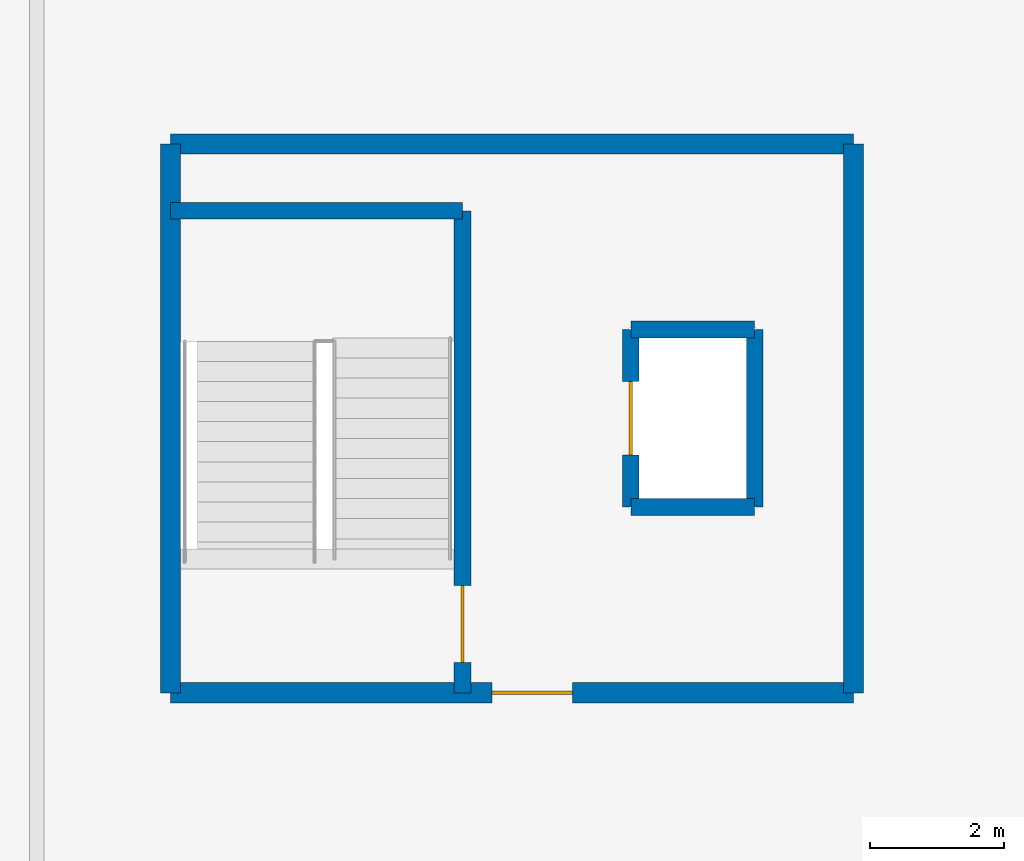
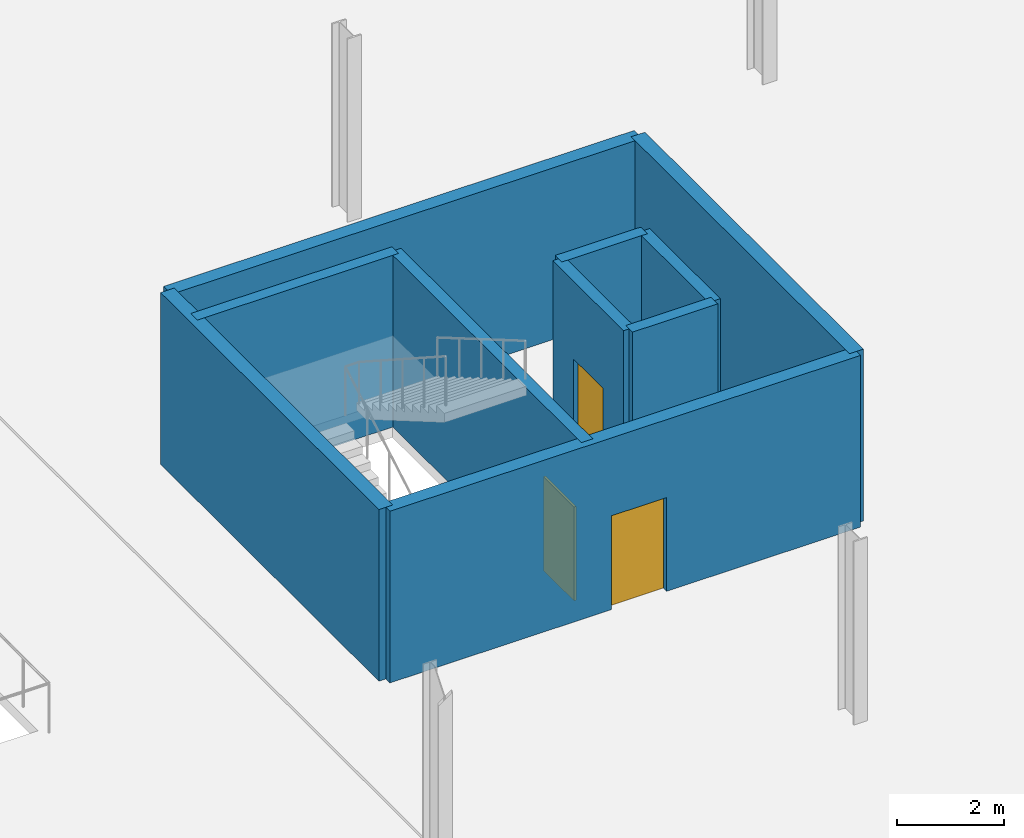
# One storey, part 114 of 132: 10 walls, 3 doors, 3 openings.
"""IFC4 building model written with IfcOpenShell, lengths in metres."""

from ifc_helpers import new_model, si_unit, direction, frame, frame_2d, origin, place, context, subcontext, project, spatial, rectangle, extrude, material, layer, layer_set, type_object, element, fill, save


model = new_model("IFC4")

# Units and contexts
model_context = context("Model", 3, precision=1e-05, world=origin(), true_north=direction((0.0, 1.0)))
body_context = subcontext(model_context, "Body", "Model", "MODEL_VIEW")
ifc_project = project(units=[si_unit("LENGTHUNIT", "METRE"), si_unit("AREAUNIT", "SQUARE_METRE"), si_unit("VOLUMEUNIT", "CUBIC_METRE"), si_unit("PLANEANGLEUNIT", "RADIAN"), si_unit("MASSUNIT", "GRAM", prefix="KILO")], contexts=[model_context])

# Site, building, storey
site_placement = place(None, origin())
site = spatial("IfcSite", under=ifc_project, at=site_placement, CompositionType="ELEMENT")
building_placement = place(site_placement, origin())
building = spatial("IfcBuilding", under=site, at=building_placement, Name="Deido Ridge Mobility Hub", CompositionType="ELEMENT")
storey_placement = place(building_placement, frame((0.0, 0.0, 8.39990234375)))
storey = spatial("IfcBuildingStorey", under=building, at=storey_placement, Name="L02", CompositionType="ELEMENT", Elevation=8.39990234375)

# Wall, opening, door
ifc_material_1 = material(Name="Concrete C40/50", Category="concrete")
ifc_layer_1 = layer(ifc_material_1, 0.25, Name="Concrete C40/50")
ifc_layer_set_1 = layer_set([ifc_layer_1], Name="Concrete C40/50")
wall_type_1 = type_object("IfcWallType", Name="WL-SHR-RC-250", PredefinedType="SHEAR", material=ifc_layer_set_1)
wall_1_placement = place(storey_placement, frame((78.360107421875, 99.39990234375, 0.0), z_axis=(0.0, 0.0, 1.0), x_axis=(0.0, 1.0, 0.0)))
wall_1 = element("IfcWall", 1, at=wall_1_placement, inside=storey, type_object=wall_type_1, Name="C5 stair shaft east wall", PredefinedType="SHEAR", context=body_context, shape_type="SweptSolid", body=[
    extrude(rectangle(XDim=7.2001953125, YDim=0.25, at=frame_2d((3.60009765625, 0.0))), origin(), (0.0, 0.0, 1.0), 3.93505859375),
])
opening_1_placement = place(wall_1_placement, frame((0.449951171875, 0.0, 0.0)))
opening_1 = element("IfcOpeningElement", 2, at=opening_1_placement, cuts=wall_1, Name="Opening FD-C5-L02", PredefinedType="OPENING", context=body_context, shape_type="SweptSolid", body=[
    extrude(rectangle(XDim=1.14990234375, YDim=2.14990234375, at=frame_2d((0.574951171875, 1.074951171875))), frame((0.0, 0.135009765625, 0.0), z_axis=(0.0, -1.0, 0.0), x_axis=(1.0, 0.0, 0.0)), (0.0, 0.0, 1.0), 0.27001953125),
])
ifc_material_2 = material(Name="Galvanised steel work", Category="steel")
door_type_1 = type_object("IfcDoorType", Name="DR-FD60-1150X2150", OperationType="NOTDEFINED", PredefinedType="DOOR", material=ifc_material_2)
door_1_placement = place(opening_1_placement, origin())
door_1 = element("IfcDoor", 3, at=door_1_placement, inside=storey, type_object=door_type_1, Name="DR-I0109 C5 protected stair door (L02)", OperationType="SINGLE_SWING_LEFT", OverallHeight=2.14990234375, OverallWidth=1.14990234375, PredefinedType="DOOR", context=body_context, shape_type="SweptSolid", body=[
    extrude(rectangle(XDim=1.14990234375, YDim=2.14990234375, at=frame_2d((0.574951171875, 1.074951171875))), frame((0.0, 0.02490234375, 0.0), z_axis=(0.0, -1.0, 0.0), x_axis=(1.0, 0.0, 0.0)), (0.0, 0.0, 1.0), 0.050048828125),
])
fill(opening_1, door_1)

# Walls
wall_2_placement = place(storey_placement, frame((74.0, 106.60009765625, 0.0), z_axis=(0.0, 0.0, 1.0), x_axis=(1.0, 0.0, 0.0)))
element("IfcWall", 4, at=wall_2_placement, inside=storey, type_object=wall_type_1, Name="C5 stair shaft north wall", PredefinedType="SHEAR", context=body_context, shape_type="SweptSolid", body=[
    extrude(rectangle(XDim=4.360107421875, YDim=0.25, at=frame_2d((2.18017578125, 0.0))), origin(), (0.0, 0.0, 1.0), 3.93505859375),
])
for number, where, z_axis, x_axis, name in (
    (5, (80.875, 102.175048828125, 0.0), (0.0, 0.0, 1.0), (1.0, 0.0, 0.0), "Lift PL3 south shaft wall"),
    (6, (80.875, 104.824951171875, 0.0), (0.0, 0.0, 1.0), (1.0, 0.0, 0.0), "Lift PL3 north shaft wall"),
):
    element("IfcWall", number, at=place(storey_placement, frame(where, z_axis=z_axis, x_axis=x_axis)), inside=storey, type_object=wall_type_1, Name=name, PredefinedType="SHEAR", context=body_context, shape_type="SweptSolid", body=[
        extrude(rectangle(XDim=1.85009765625, YDim=0.25, at=frame_2d((0.925048828125, 0.0))), origin(), (0.0, 0.0, 1.0), 3.93505859375),
    ])
wall_3_placement = place(storey_placement, frame((82.72509765625, 102.175048828125, 0.0), z_axis=(0.0, 0.0, 1.0), x_axis=(0.0, 1.0, 0.0)))
element("IfcWall", 7, at=wall_3_placement, inside=storey, type_object=wall_type_1, Name="Lift PL3 rear shaft wall", PredefinedType="SHEAR", context=body_context, shape_type="SweptSolid", body=[
    extrude(rectangle(XDim=2.64990234375, YDim=0.25, at=frame_2d((1.324951171875, 0.0))), origin(), (0.0, 0.0, 1.0), 3.93505859375),
])

# Wall, opening, door
wall_4_placement = place(storey_placement, frame((80.875, 102.175048828125, 0.0), z_axis=(0.0, 0.0, 1.0), x_axis=(0.0, 1.0, 0.0)))
wall_4 = element("IfcWall", 8, at=wall_4_placement, inside=storey, type_object=wall_type_1, Name="Lift PL3 landing wall", PredefinedType="SHEAR", context=body_context, shape_type="SweptSolid", body=[
    extrude(rectangle(XDim=2.64990234375, YDim=0.25, at=frame_2d((1.324951171875, 0.0))), origin(), (0.0, 0.0, 1.0), 3.93505859375),
])
opening_2_placement = place(wall_4_placement, frame((0.77490234375, 0.0, 0.0)))
opening_2 = element("IfcOpeningElement", 9, at=opening_2_placement, cuts=wall_4, Name="Opening LD-PL3", PredefinedType="OPENING", context=body_context, shape_type="SweptSolid", body=[
    extrude(rectangle(XDim=1.10009765625, YDim=2.14990234375, at=frame_2d((0.550048828125, 1.074951171875))), frame((0.0, 0.135009765625, 0.0), z_axis=(0.0, -1.0, 0.0), x_axis=(1.0, 0.0, 0.0)), (0.0, 0.0, 1.0), 0.27001953125),
])
ifc_material_3 = material(Name="Stainless steel 316", Category="steel")
door_type_2 = type_object("IfcDoorType", Name="DR-LND-PAS-1100X2150", OperationType="DOUBLE_DOOR_SLIDING", PredefinedType="USERDEFINED", material=ifc_material_3)
door_2_placement = place(opening_2_placement, origin())
door_2 = element("IfcDoor", 10, at=door_2_placement, inside=storey, type_object=door_type_2, Name="DR-I0111 Lift PL3 sliding landing door (L02)", ObjectType="LANDING DOOR", OperationType="DOUBLE_DOOR_SLIDING", OverallHeight=2.14990234375, OverallWidth=1.10009765625, PredefinedType="USERDEFINED", context=body_context, shape_type="SweptSolid", body=[
    extrude(rectangle(XDim=1.10009765625, YDim=2.14990234375, at=frame_2d((0.550048828125, 1.074951171875))), frame((0.0, 0.02490234375, 0.0), z_axis=(0.0, -1.0, 0.0), x_axis=(1.0, 0.0, 0.0)), (0.0, 0.0, 1.0), 0.050048828125),
])
fill(opening_2, door_2)

ifc_layer_2 = layer(ifc_material_1, 0.300048828125, Name="Concrete C40/50")
ifc_layer_set_2 = layer_set([ifc_layer_2], Name="Concrete C40/50")
wall_type_2 = type_object("IfcWallType", Name="WL-SHR-RC-300", PredefinedType="SHEAR", material=ifc_layer_set_2)
wall_5_placement = place(storey_placement, frame((74.0, 99.39990234375, 0.0), z_axis=(0.0, 0.0, 1.0), x_axis=(1.0, 0.0, 0.0)))
wall_5 = element("IfcWall", 11, at=wall_5_placement, inside=storey, type_object=wall_type_2, Name="C5 south shear wall", PredefinedType="SHEAR", context=body_context, shape_type="SweptSolid", body=[
    extrude(rectangle(XDim=10.199951171875, YDim=0.300048828125, at=frame_2d((5.10009765625, 0.0))), origin(), (0.0, 0.0, 1.0), 3.93505859375),
])
opening_3_placement = place(wall_5_placement, frame((4.800048828125, 0.0, 0.0)))
opening_3 = element("IfcOpeningElement", 12, at=opening_3_placement, cuts=wall_5, Name="Opening LD-C5-110", PredefinedType="OPENING", context=body_context, shape_type="SweptSolid", body=[
    extrude(rectangle(XDim=1.199951171875, YDim=2.14990234375, at=frame_2d((0.60009765625, 1.074951171875))), frame((0.0, 0.16015625, 0.0), z_axis=(0.0, -1.0, 0.0), x_axis=(1.0, 0.0, 0.0)), (0.0, 0.0, 1.0), 0.320068359375),
])
door_type_3 = type_object("IfcDoorType", Name="DR-FD60-1200X2150", OperationType="NOTDEFINED", PredefinedType="DOOR", material=ifc_material_2)
door_3_placement = place(opening_3_placement, origin())
door_3 = element("IfcDoor", 13, at=door_3_placement, inside=storey, type_object=door_type_3, Name="DR-I0110 C5 lift lobby door (L02)", OperationType="SINGLE_SWING_RIGHT", OverallHeight=2.14990234375, OverallWidth=1.199951171875, PredefinedType="DOOR", context=body_context, shape_type="SweptSolid", body=[
    extrude(rectangle(XDim=1.199951171875, YDim=2.14990234375, at=frame_2d((0.60009765625, 1.074951171875))), frame((0.0, 0.02490234375, 0.0), z_axis=(0.0, -1.0, 0.0), x_axis=(1.0, 0.0, 0.0)), (0.0, 0.0, 1.0), 0.050048828125),
])
fill(opening_3, door_3)

# Walls
wall_6_placement = place(storey_placement, frame((84.199951171875, 99.39990234375, 0.0), z_axis=(0.0, 0.0, 1.0), x_axis=(0.0, 1.0, 0.0)))
element("IfcWall", 14, at=wall_6_placement, inside=storey, type_object=wall_type_2, Name="C5 east shear wall", PredefinedType="SHEAR", context=body_context, shape_type="SweptSolid", body=[
    extrude(rectangle(XDim=8.2001953125, YDim=0.300048828125, at=frame_2d((4.10009765625, 0.0))), origin(), (0.0, 0.0, 1.0), 3.93505859375),
])
wall_7_placement = place(storey_placement, frame((84.199951171875, 107.60009765625, 0.0), z_axis=(0.0, 0.0, 1.0), x_axis=(-1.0, 0.0, 0.0)))
element("IfcWall", 15, at=wall_7_placement, inside=storey, type_object=wall_type_2, Name="C5 north shear wall", PredefinedType="SHEAR", context=body_context, shape_type="SweptSolid", body=[
    extrude(rectangle(XDim=10.199951171875, YDim=0.300048828125, at=frame_2d((5.10009765625, 0.0))), origin(), (0.0, 0.0, 1.0), 3.93505859375),
])
wall_8_placement = place(storey_placement, frame((74.0, 107.60009765625, 0.0), z_axis=(0.0, 0.0, 1.0), x_axis=(0.0, -1.0, 0.0)))
element("IfcWall", 16, at=wall_8_placement, inside=storey, type_object=wall_type_2, Name="C5 west shear wall", PredefinedType="SHEAR", context=body_context, shape_type="SweptSolid", body=[
    extrude(rectangle(XDim=8.2001953125, YDim=0.300048828125, at=frame_2d((4.10009765625, 0.0))), origin(), (0.0, 0.0, 1.0), 3.93505859375),
])

save(model, "model.ifc")
